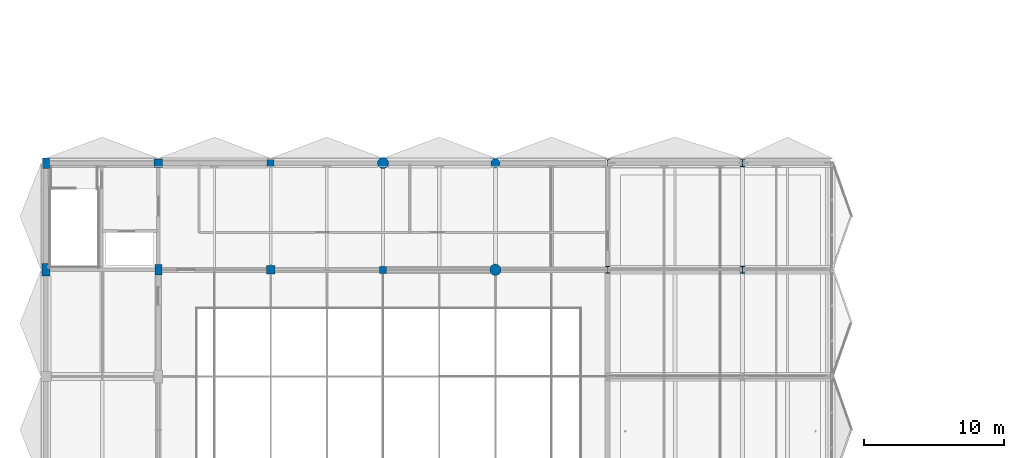
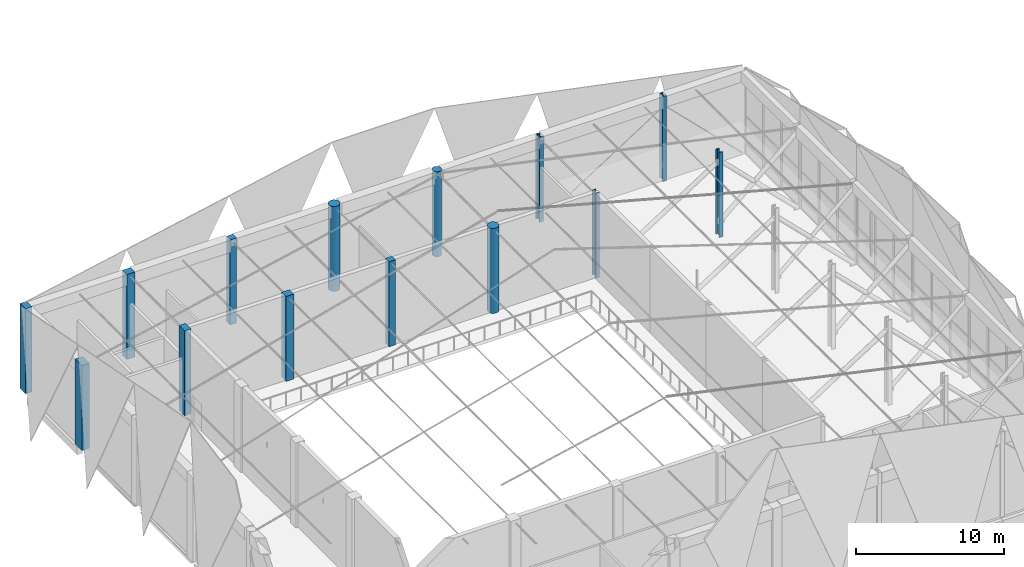
# One storey, part 3 of 46: 14 columns.
"""IFC4 building model written with IfcOpenShell, lengths in metres."""

from ifc_helpers import new_model, si_unit, direction, frame, origin, origin_2d, place, context, subcontext, project, spatial, rectangle, circle, i_section, extrude, material, material_profile, profile_set, type_object, element, save


model = new_model("IFC4")

# Units and contexts
model_context = context("Model", 3, precision=1e-05, world=origin(), true_north=direction((0.0, 1.0)))
body_context = subcontext(model_context, "Body", "Model", "MODEL_VIEW")
ifc_project = project(units=[si_unit("LENGTHUNIT", "METRE"), si_unit("AREAUNIT", "SQUARE_METRE"), si_unit("VOLUMEUNIT", "CUBIC_METRE"), si_unit("PLANEANGLEUNIT", "RADIAN"), si_unit("MASSUNIT", "GRAM", prefix="KILO")], contexts=[model_context])

# Site, building, storey
site_placement = place(None, origin())
site = spatial("IfcSite", under=ifc_project, at=site_placement, CompositionType="ELEMENT")
building_placement = place(site_placement, origin())
building = spatial("IfcBuilding", under=site, at=building_placement, Name="Khelvaren Railside Concert Hall", CompositionType="ELEMENT")
storey_placement = place(building_placement, frame((0.0, 0.0, 19.800048828125)))
storey = spatial("IfcBuildingStorey", under=building, at=storey_placement, Name="L04", CompositionType="ELEMENT", Elevation=19.800048828125)

# Columns
ifc_material_1 = material(Name="Concrete C45/55", Category="concrete")
ifc_material_profile_1 = material_profile(ifc_material_1, rectangle(XDim=0.60009765625, YDim=0.60009765625, at=origin_2d()), Name="RC 600x600")
ifc_profile_set_1 = profile_set([ifc_material_profile_1], Name="Concrete C45/55")
column_type_1 = type_object("IfcColumnType", Name="COL11", PredefinedType="COLUMN", material=ifc_profile_set_1)
column_1_placement = place(storey_placement, frame((8.0, 45.60009765625, 0.0), z_axis=(0.0, 0.0, 1.0), x_axis=(1.0, 0.0, 0.0)))
element("IfcColumn", 1, at=column_1_placement, inside=storey, type_object=column_type_1, Name="V1 L04 Column (8.0,45.6)", PredefinedType="COLUMN", context=body_context, shape_type="SweptSolid", body=[
    extrude(rectangle(XDim=0.60009765625, YDim=0.60009765625, at=origin_2d()), origin(), (0.0, 0.0, 1.0), 7.0),
])
ifc_material_profile_2 = material_profile(ifc_material_1, circle(Radius=0.39990234375, at=origin_2d()), Name="RC D800")
ifc_profile_set_2 = profile_set([ifc_material_profile_2], Name="Concrete C45/55")
column_type_2 = type_object("IfcColumnType", Name="COL14", PredefinedType="COLUMN", material=ifc_profile_set_2)
column_2_placement = place(storey_placement, frame((32.0, 38.0, 0.0), z_axis=(0.0, 0.0, 1.0), x_axis=(1.0, 0.0, 0.0)))
element("IfcColumn", 2, at=column_2_placement, inside=storey, type_object=column_type_2, Name="V1 L04 Column (32.0,38.0)", PredefinedType="COLUMN", context=body_context, shape_type="SweptSolid", body=[
    extrude(circle(Radius=0.39990234375, at=origin_2d()), origin(), (0.0, 0.0, 1.0), 7.0),
])
ifc_material_2 = material(Name="Steel S355", Category="steel")
ifc_material_profile_3 = material_profile(ifc_material_2, i_section(OverallWidth=0.300048828125, OverallDepth=0.5, WebThickness=0.014404296875, FlangeThickness=0.028076171875, FilletRadius=0.027099609375, at=origin_2d()), Name="HEB 500")
ifc_profile_set_3 = profile_set([ifc_material_profile_3], Name="Steel S355")
column_type_3 = type_object("IfcColumnType", Name="COL15", PredefinedType="COLUMN", material=ifc_profile_set_3)
for number, where, z_axis, x_axis, name in (
    (3, (40.0, 45.60009765625, 0.0), (0.0, 0.0, 1.0), (1.0, 0.0, 0.0), "V1 L04 Column (40.0,45.6)"),
    (4, (49.60009765625, 45.60009765625, 0.0), (0.0, 0.0, 1.0), (1.0, 0.0, 0.0), "V1 L04 Column (49.6,45.6)"),
):
    element("IfcColumn", number, at=place(storey_placement, frame(where, z_axis=z_axis, x_axis=x_axis)), inside=storey, type_object=column_type_3, Name=name, PredefinedType="COLUMN", context=body_context, shape_type="SweptSolid", body=[
        extrude(i_section(OverallWidth=0.300048828125, OverallDepth=0.5, WebThickness=0.014404296875, FlangeThickness=0.028076171875, FilletRadius=0.027099609375, at=origin_2d()), origin(), (0.0, 0.0, 1.0), 7.0),
    ])
ifc_material_profile_4 = material_profile(ifc_material_1, circle(Radius=0.39990234375, at=origin_2d()), Name="RC D800")
ifc_profile_set_4 = profile_set([ifc_material_profile_4], Name="Concrete C45/55")
column_type_4 = type_object("IfcColumnType", Name="COL22", PredefinedType="COLUMN", material=ifc_profile_set_4)
column_3_placement = place(storey_placement, frame((24.0, 45.60009765625, 0.0), z_axis=(0.0, 0.0, 1.0), x_axis=(1.0, 0.0, 0.0)))
element("IfcColumn", 5, at=column_3_placement, inside=storey, type_object=column_type_4, Name="V1 L04 Column (24.0,45.6)", PredefinedType="COLUMN", context=body_context, shape_type="SweptSolid", body=[
    extrude(circle(Radius=0.39990234375, at=origin_2d()), origin(), (0.0, 0.0, 1.0), 7.0),
])
ifc_material_profile_5 = material_profile(ifc_material_2, i_section(OverallWidth=0.300048828125, OverallDepth=0.5, WebThickness=0.014404296875, FlangeThickness=0.028076171875, FilletRadius=0.027099609375, at=origin_2d()), Name="HEB 500")
ifc_profile_set_5 = profile_set([ifc_material_profile_5], Name="Steel S355")
column_type_5 = type_object("IfcColumnType", Name="COL25", PredefinedType="COLUMN", material=ifc_profile_set_5)
for number, where, z_axis, x_axis, name in (
    (6, (40.0, 38.0, 0.0), (0.0, 0.0, 1.0), (1.0, 0.0, 0.0), "V1 L04 Column (40.0,38.0)"),
    (7, (49.60009765625, 38.0, 0.0), (0.0, 0.0, 1.0), (1.0, 0.0, 0.0), "V1 L04 Column (49.6,38.0)"),
):
    element("IfcColumn", number, at=place(storey_placement, frame(where, z_axis=z_axis, x_axis=x_axis)), inside=storey, type_object=column_type_5, Name=name, PredefinedType="COLUMN", context=body_context, shape_type="SweptSolid", body=[
        extrude(i_section(OverallWidth=0.300048828125, OverallDepth=0.5, WebThickness=0.014404296875, FlangeThickness=0.028076171875, FilletRadius=0.027099609375, at=origin_2d()), origin(), (0.0, 0.0, 1.0), 7.0),
    ])
ifc_material_profile_6 = material_profile(ifc_material_1, rectangle(XDim=0.60009765625, YDim=0.60009765625, at=origin_2d()), Name="RC 600x600")
ifc_profile_set_6 = profile_set([ifc_material_profile_6], Name="Concrete C45/55")
column_type_6 = type_object("IfcColumnType", Name="COL29", PredefinedType="COLUMN", material=ifc_profile_set_6)
column_4_placement = place(storey_placement, frame((16.0, 38.0, 0.0), z_axis=(0.0, 0.0, 1.0), x_axis=(1.0, 0.0, 0.0)))
element("IfcColumn", 8, at=column_4_placement, inside=storey, type_object=column_type_6, Name="V1 L04 Column (16.0,38.0)", PredefinedType="COLUMN", context=body_context, shape_type="SweptSolid", body=[
    extrude(rectangle(XDim=0.60009765625, YDim=0.60009765625, at=origin_2d()), origin(), (0.0, 0.0, 1.0), 7.0),
])
ifc_material_profile_7 = material_profile(ifc_material_1, rectangle(XDim=0.5, YDim=0.5, at=origin_2d()), Name="RC 500x500")
ifc_profile_set_7 = profile_set([ifc_material_profile_7], Name="Concrete C45/55")
column_type_7 = type_object("IfcColumnType", Name="COL35", PredefinedType="COLUMN", material=ifc_profile_set_7)
column_5_placement = place(storey_placement, frame((16.0, 45.60009765625, 0.0), z_axis=(0.0, 0.0, 1.0), x_axis=(1.0, 0.0, 0.0)))
element("IfcColumn", 9, at=column_5_placement, inside=storey, type_object=column_type_7, Name="V1 L04 Column (16.0,45.6)", PredefinedType="COLUMN", context=body_context, shape_type="SweptSolid", body=[
    extrude(rectangle(XDim=0.5, YDim=0.5, at=origin_2d()), origin(), (0.0, 0.0, 1.0), 7.0),
])
ifc_material_profile_8 = material_profile(ifc_material_1, rectangle(XDim=0.5, YDim=0.75, at=origin_2d()), Name="RC 500x750")
ifc_profile_set_8 = profile_set([ifc_material_profile_8], Name="Concrete C45/55")
column_type_8 = type_object("IfcColumnType", Name="COL36", PredefinedType="COLUMN", material=ifc_profile_set_8)
column_6_placement = place(storey_placement, frame((8.0, 38.0, 0.0), z_axis=(0.0, 0.0, 1.0), x_axis=(1.0, 0.0, 0.0)))
element("IfcColumn", 10, at=column_6_placement, inside=storey, type_object=column_type_8, Name="V1 L04 Column (8.0,38.0)", PredefinedType="COLUMN", context=body_context, shape_type="SweptSolid", body=[
    extrude(rectangle(XDim=0.5, YDim=0.75, at=origin_2d()), origin(), (0.0, 0.0, 1.0), 7.0),
])
ifc_material_profile_9 = material_profile(ifc_material_1, circle(Radius=0.324951171875, at=origin_2d()), Name="RC D650")
ifc_profile_set_9 = profile_set([ifc_material_profile_9], Name="Concrete C45/55")
column_type_9 = type_object("IfcColumnType", Name="COL53", PredefinedType="COLUMN", material=ifc_profile_set_9)
column_7_placement = place(storey_placement, frame((32.0, 45.60009765625, 0.0), z_axis=(0.0, 0.0, 1.0), x_axis=(1.0, 0.0, 0.0)))
element("IfcColumn", 11, at=column_7_placement, inside=storey, type_object=column_type_9, Name="V1 L04 Column (32.0,45.6)", PredefinedType="COLUMN", context=body_context, shape_type="SweptSolid", body=[
    extrude(circle(Radius=0.324951171875, at=origin_2d()), origin(), (0.0, 0.0, 1.0), 7.0),
])
ifc_material_profile_10 = material_profile(ifc_material_1, rectangle(XDim=0.5, YDim=0.5, at=origin_2d()), Name="RC 500x500")
ifc_profile_set_10 = profile_set([ifc_material_profile_10], Name="Concrete C45/55")
column_type_10 = type_object("IfcColumnType", Name="COL84", PredefinedType="COLUMN", material=ifc_profile_set_10)
column_8_placement = place(storey_placement, frame((24.0, 38.0, 0.0), z_axis=(0.0, 0.0, 1.0), x_axis=(1.0, 0.0, 0.0)))
element("IfcColumn", 12, at=column_8_placement, inside=storey, type_object=column_type_10, Name="V1 L04 Column (24.0,38.0)", PredefinedType="COLUMN", context=body_context, shape_type="SweptSolid", body=[
    extrude(rectangle(XDim=0.5, YDim=0.5, at=origin_2d()), origin(), (0.0, 0.0, 1.0), 7.0),
])
ifc_material_profile_11 = material_profile(ifc_material_1, rectangle(XDim=0.60009765625, YDim=0.89990234375, at=origin_2d()), Name="RC 600x900")
ifc_profile_set_11 = profile_set([ifc_material_profile_11], Name="Concrete C45/55")
column_type_11 = type_object("IfcColumnType", Name="COL95", PredefinedType="COLUMN", material=ifc_profile_set_11)
column_9_placement = place(storey_placement, frame((0.0, 38.0, 0.0), z_axis=(0.0, 0.0, 1.0), x_axis=(1.0, 0.0, 0.0)))
element("IfcColumn", 13, at=column_9_placement, inside=storey, type_object=column_type_11, Name="V1 L04 Column (0.0,38.0)", PredefinedType="COLUMN", context=body_context, shape_type="SweptSolid", body=[
    extrude(rectangle(XDim=0.60009765625, YDim=0.89990234375, at=origin_2d()), origin(), (0.0, 0.0, 1.0), 7.0),
])
ifc_material_profile_12 = material_profile(ifc_material_1, rectangle(XDim=0.5, YDim=0.75, at=origin_2d()), Name="RC 500x750")
ifc_profile_set_12 = profile_set([ifc_material_profile_12], Name="Concrete C45/55")
column_type_12 = type_object("IfcColumnType", Name="COL97", PredefinedType="COLUMN", material=ifc_profile_set_12)
column_10_placement = place(storey_placement, frame((0.0, 45.60009765625, 0.0), z_axis=(0.0, 0.0, 1.0), x_axis=(1.0, 0.0, 0.0)))
element("IfcColumn", 14, at=column_10_placement, inside=storey, type_object=column_type_12, Name="V1 L04 Column (0.0,45.6)", PredefinedType="COLUMN", context=body_context, shape_type="SweptSolid", body=[
    extrude(rectangle(XDim=0.5, YDim=0.75, at=origin_2d()), origin(), (0.0, 0.0, 1.0), 7.0),
])

save(model, "model.ifc")
